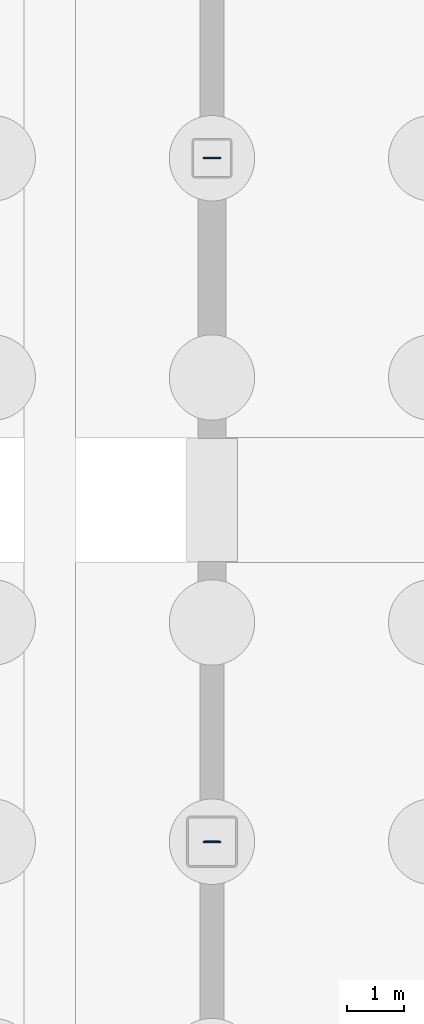
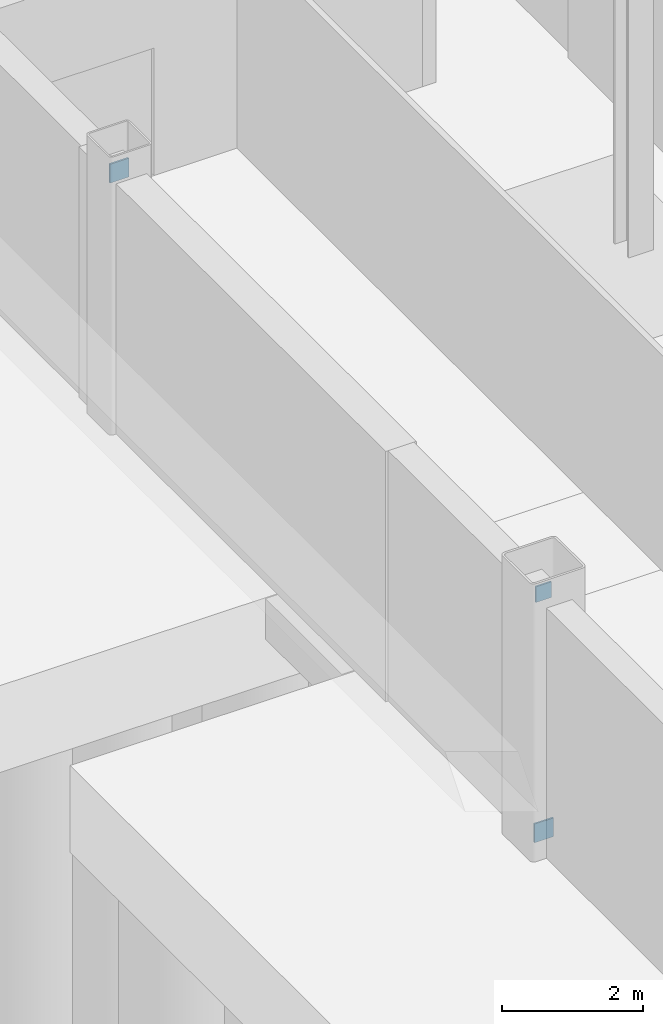
# One storey, part 21 of 34: 3 plates.
"""IFC4 building model written with IfcOpenShell, lengths in metres."""

from ifc_helpers import new_model, si_unit, direction, frame, origin, origin_2d, place, context, subcontext, project, spatial, rectangle, extrude, material, layer, layer_set, type_object, element, save


model = new_model("IFC4")

# Units and contexts
model_context = context("Model", 3, precision=1e-05, world=origin(), true_north=direction((0.0, 1.0)))
body_context = subcontext(model_context, "Body", "Model", "MODEL_VIEW")
ifc_project = project(units=[si_unit("LENGTHUNIT", "METRE"), si_unit("AREAUNIT", "SQUARE_METRE"), si_unit("VOLUMEUNIT", "CUBIC_METRE"), si_unit("PLANEANGLEUNIT", "RADIAN"), si_unit("MASSUNIT", "GRAM", prefix="KILO")], contexts=[model_context])

# Site, building, storey
site_placement = place(None, origin())
site = spatial("IfcSite", under=ifc_project, at=site_placement, CompositionType="ELEMENT")
building_placement = place(site_placement, origin())
building = spatial("IfcBuilding", under=site, at=building_placement, Name="Larkvane Passage Sports Hall", CompositionType="ELEMENT")
storey_placement = place(building_placement, frame((0.0, 0.0, -4.800048828125)))
storey = spatial("IfcBuildingStorey", under=building, at=storey_placement, Name="B01", CompositionType="ELEMENT", Elevation=-4.800048828125)

# Plates
ifc_material = material(Name="Steel S355JR", Category="steel")
ifc_layer = layer(ifc_material, 0.011962890625)
ifc_layer_set = layer_set([ifc_layer], Name="Steel S355JR")
plate_type = type_object("IfcPlateType", Name="PLT-CAP-12", PredefinedType="SHEET", material=ifc_layer_set)
plate_placement = place(storey_placement, frame((34.800048828125, 63.605712890625, 4.116455078125), z_axis=(0.0, 0.0, 1.0), x_axis=(-1.0, 0.0, 0.0)))
element("IfcPlate", 1, at=plate_placement, inside=storey, type_object=plate_type, Name="Hollow section sealed end cap plate 0555", PredefinedType="SHEET", context=body_context, shape_type="SweptSolid", body=[
    extrude(rectangle(XDim=0.260009765625, YDim=0.028076171875, at=origin_2d()), origin(), (0.0, 0.0, 1.0), 0.27099609375),
])
for number, where, z_axis, x_axis, name in (
    (2, (34.800048828125, 63.59423828125, -0.013671875), (0.0, 0.0, 1.0), (-1.0, 0.0, 0.0), "Hollow section sealed end cap plate 0562"),
    (3, (34.800048828125, 75.605712890625, 4.08984375), (0.0, 0.0, 1.0), (-1.0, 0.0, 0.0), "Hollow section sealed end cap plate 0563"),
):
    element("IfcPlate", number, at=place(storey_placement, frame(where, z_axis=z_axis, x_axis=x_axis)), inside=storey, type_object=plate_type, Name=name, PredefinedType="SHEET", context=body_context, shape_type="SweptSolid", body=[
        extrude(rectangle(XDim=0.31005859375, YDim=0.028076171875, at=origin_2d()), origin(), (0.0, 0.0, 1.0), 0.323974609375),
    ])

save(model, "model.ifc")
